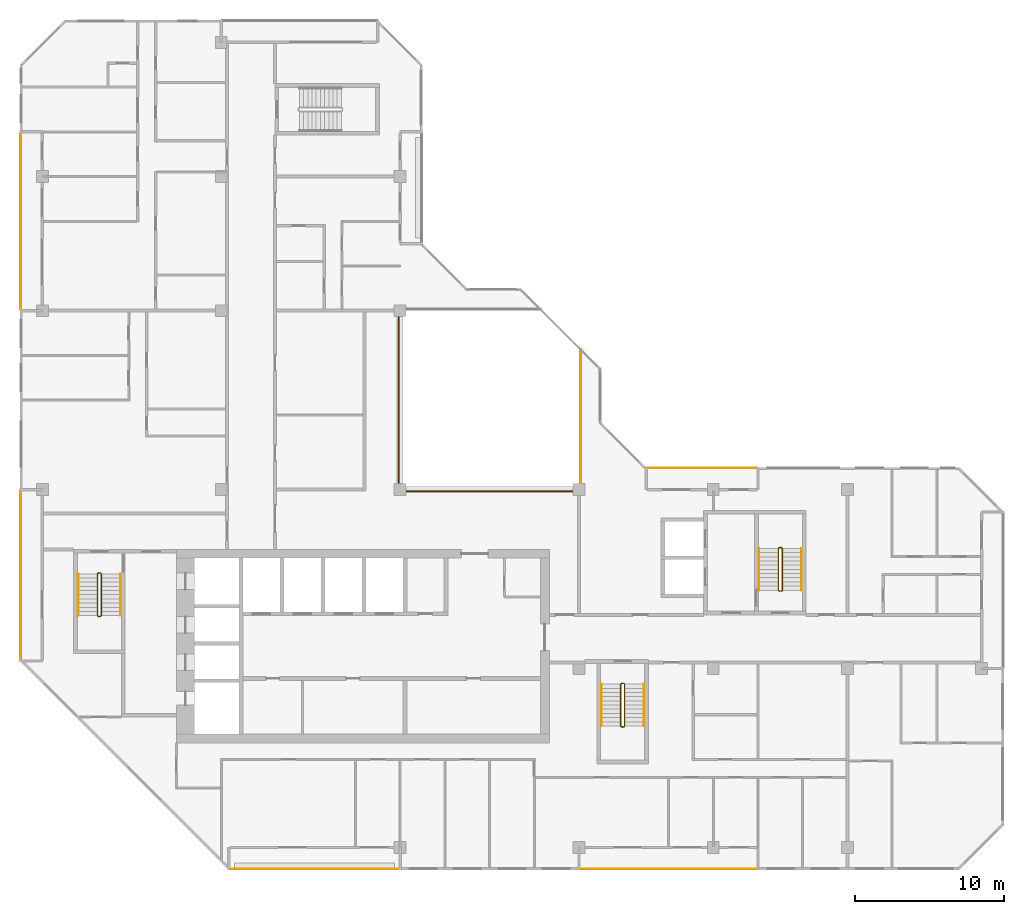
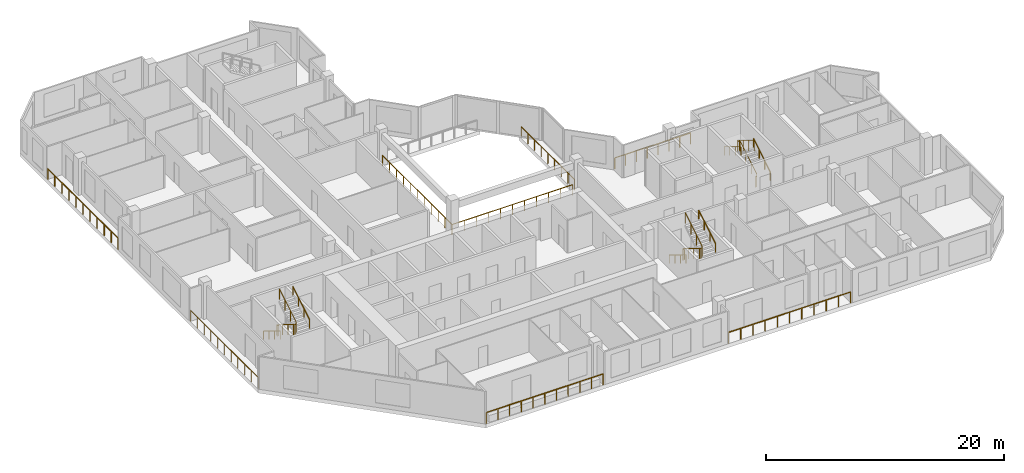
# One storey, part 12 of 13: 16 railings.
"""IFC4 building model written with IfcOpenShell, lengths in metres."""

from ifc_helpers import new_model, si_unit, direction, frame, origin, origin_2d, place, context, subcontext, project, spatial, rectangle, extrude, material, type_object, element, save


model = new_model("IFC4")

# Units and contexts
model_context = context("Model", 3, precision=1e-05, world=origin(), true_north=direction((0.0, 1.0)))
body_context = subcontext(model_context, "Body", "Model", "MODEL_VIEW")
ifc_project = project(units=[si_unit("LENGTHUNIT", "METRE"), si_unit("AREAUNIT", "SQUARE_METRE"), si_unit("VOLUMEUNIT", "CUBIC_METRE"), si_unit("PLANEANGLEUNIT", "RADIAN"), si_unit("MASSUNIT", "GRAM", prefix="KILO")], contexts=[model_context])

# Site, building, storey
site_placement = place(None, origin())
site = spatial("IfcSite", under=ifc_project, at=site_placement, CompositionType="ELEMENT")
building_placement = place(site_placement, origin())
building = spatial("IfcBuilding", under=site, at=building_placement, Name="Chenar Terraces", CompositionType="ELEMENT")
storey_placement = place(building_placement, frame((0.0, 0.0, 284.64990234375)))
storey = spatial("IfcBuildingStorey", under=building, at=storey_placement, Name="L66", CompositionType="ELEMENT", Elevation=284.64990234375)

# Railings
ifc_material_1 = material(Name="Powder-coated steel", Category="steel")
railing_type_1 = type_object("IfcRailingType", Name="Guard 1100 steel rail with glass infill", PredefinedType="GUARDRAIL", material=ifc_material_1)
railing_1_placement = place(storey_placement, frame((23.89990234375, 35.60009765625, 0.0)))
element("IfcRailing", 1, at=railing_1_placement, inside=storey, type_object=railing_type_1, Name="Guard L66-1", PredefinedType="GUARDRAIL", context=body_context, shape_type="SweptSolid", body=[
    extrude(rectangle(XDim=0.06005859375, YDim=0.06005859375, at=origin_2d()), frame((0.0, 0.0, 1.070068359375), z_axis=(0.0, -1.0, 0.0), x_axis=(1.0, 0.0, 0.0)), (0.0, 0.0, 1.0), 11.7001953125),
    extrude(rectangle(XDim=0.06005859375, YDim=0.06005859375, at=origin_2d()), frame((0.0, -11.7001953125, 1.070068359375), z_axis=(1.0, 0.0, 0.0), x_axis=(0.0, 1.0, 0.0)), (0.0, 0.0, 1.0), 11.7001953125),
    extrude(rectangle(XDim=0.050048828125, YDim=0.050048828125, at=origin_2d()), origin(), (0.0, 0.0, 1.0), 1.0400390625),
    extrude(rectangle(XDim=0.050048828125, YDim=0.050048828125, at=origin_2d()), frame((0.0, -1.169921875, 0.0)), (0.0, 0.0, 1.0), 1.0400390625),
    extrude(rectangle(XDim=0.050048828125, YDim=0.050048828125, at=origin_2d()), frame((0.0, -2.340087890625, 0.0)), (0.0, 0.0, 1.0), 1.0400390625),
    extrude(rectangle(XDim=0.050048828125, YDim=0.050048828125, at=origin_2d()), frame((0.0, -3.510009765625, 0.0)), (0.0, 0.0, 1.0), 1.0400390625),
    extrude(rectangle(XDim=0.050048828125, YDim=0.050048828125, at=origin_2d()), frame((0.0, -4.68017578125, 0.0)), (0.0, 0.0, 1.0), 1.0400390625),
    extrude(rectangle(XDim=0.050048828125, YDim=0.050048828125, at=origin_2d()), frame((0.0, -5.85009765625, 0.0)), (0.0, 0.0, 1.0), 1.0400390625),
    extrude(rectangle(XDim=0.050048828125, YDim=0.050048828125, at=origin_2d()), frame((0.0, -7.02001953125, 0.0)), (0.0, 0.0, 1.0), 1.0400390625),
    extrude(rectangle(XDim=0.050048828125, YDim=0.050048828125, at=origin_2d()), frame((0.0, -8.190185546875, 0.0)), (0.0, 0.0, 1.0), 1.0400390625),
    extrude(rectangle(XDim=0.050048828125, YDim=0.050048828125, at=origin_2d()), frame((0.0, -9.360107421875, 0.0)), (0.0, 0.0, 1.0), 1.0400390625),
    extrude(rectangle(XDim=0.050048828125, YDim=0.050048828125, at=origin_2d()), frame((0.0, -10.5302734375, 0.0)), (0.0, 0.0, 1.0), 1.0400390625),
    extrude(rectangle(XDim=0.050048828125, YDim=0.050048828125, at=origin_2d()), frame((0.0, -11.7001953125, 0.0)), (0.0, 0.0, 1.0), 1.0400390625),
    extrude(rectangle(XDim=0.050048828125, YDim=0.050048828125, at=origin_2d()), frame((1.169921875, -11.7001953125, 0.0)), (0.0, 0.0, 1.0), 1.0400390625),
    extrude(rectangle(XDim=0.050048828125, YDim=0.050048828125, at=origin_2d()), frame((2.340087890625, -11.7001953125, 0.0)), (0.0, 0.0, 1.0), 1.0400390625),
    extrude(rectangle(XDim=0.050048828125, YDim=0.050048828125, at=origin_2d()), frame((3.510009765625, -11.7001953125, 0.0)), (0.0, 0.0, 1.0), 1.0400390625),
    extrude(rectangle(XDim=0.050048828125, YDim=0.050048828125, at=origin_2d()), frame((4.68017578125, -11.7001953125, 0.0)), (0.0, 0.0, 1.0), 1.0400390625),
    extrude(rectangle(XDim=0.050048828125, YDim=0.050048828125, at=origin_2d()), frame((5.85009765625, -11.7001953125, 0.0)), (0.0, 0.0, 1.0), 1.0400390625),
    extrude(rectangle(XDim=0.050048828125, YDim=0.050048828125, at=origin_2d()), frame((7.02001953125, -11.7001953125, 0.0)), (0.0, 0.0, 1.0), 1.0400390625),
    extrude(rectangle(XDim=0.050048828125, YDim=0.050048828125, at=origin_2d()), frame((8.190185546875, -11.7001953125, 0.0)), (0.0, 0.0, 1.0), 1.0400390625),
    extrude(rectangle(XDim=0.050048828125, YDim=0.050048828125, at=origin_2d()), frame((9.360107421875, -11.7001953125, 0.0)), (0.0, 0.0, 1.0), 1.0400390625),
    extrude(rectangle(XDim=0.050048828125, YDim=0.050048828125, at=origin_2d()), frame((10.5302734375, -11.7001953125, 0.0)), (0.0, 0.0, 1.0), 1.0400390625),
    extrude(rectangle(XDim=0.050048828125, YDim=0.050048828125, at=origin_2d()), frame((11.7001953125, -11.7001953125, 0.0)), (0.0, 0.0, 1.0), 1.0400390625),
])
railing_2_placement = place(storey_placement, frame((36.10009765625, 24.449951171875, 0.0)))
element("IfcRailing", 2, at=railing_2_placement, inside=storey, type_object=railing_type_1, Name="Guard L66-3", PredefinedType="GUARDRAIL", context=body_context, shape_type="SweptSolid", body=[
    extrude(rectangle(XDim=0.06005859375, YDim=0.06005859375, at=origin_2d()), frame((0.0, 0.0, 1.070068359375), z_axis=(0.0, 1.0, 0.0), x_axis=(-1.0, 0.0, 0.0)), (0.0, 0.0, 1.0), 8.949951171875),
    extrude(rectangle(XDim=0.050048828125, YDim=0.050048828125, at=origin_2d()), origin(), (0.0, 0.0, 1.0), 1.0400390625),
    extrude(rectangle(XDim=0.050048828125, YDim=0.050048828125, at=origin_2d()), frame((0.0, 1.11865234375, 0.0)), (0.0, 0.0, 1.0), 1.0400390625),
    extrude(rectangle(XDim=0.050048828125, YDim=0.050048828125, at=origin_2d()), frame((0.0, 2.237548828125, 0.0)), (0.0, 0.0, 1.0), 1.0400390625),
    extrude(rectangle(XDim=0.050048828125, YDim=0.050048828125, at=origin_2d()), frame((0.0, 3.356201171875, 0.0)), (0.0, 0.0, 1.0), 1.0400390625),
    extrude(rectangle(XDim=0.050048828125, YDim=0.050048828125, at=origin_2d()), frame((0.0, 4.47509765625, 0.0)), (0.0, 0.0, 1.0), 1.0400390625),
    extrude(rectangle(XDim=0.050048828125, YDim=0.050048828125, at=origin_2d()), frame((0.0, 5.59375, 0.0)), (0.0, 0.0, 1.0), 1.0400390625),
    extrude(rectangle(XDim=0.050048828125, YDim=0.050048828125, at=origin_2d()), frame((0.0, 6.71240234375, 0.0)), (0.0, 0.0, 1.0), 1.0400390625),
    extrude(rectangle(XDim=0.050048828125, YDim=0.050048828125, at=origin_2d()), frame((0.0, 7.831298828125, 0.0)), (0.0, 0.0, 1.0), 1.0400390625),
    extrude(rectangle(XDim=0.050048828125, YDim=0.050048828125, at=origin_2d()), frame((0.0, 8.949951171875, 0.0)), (0.0, 0.0, 1.0), 1.0400390625),
])
ifc_material_2 = material(Name="Stainless steel and glass", Category="steel")
railing_type_2 = type_object("IfcRailingType", Name="Loggia guard 1150", PredefinedType="GUARDRAIL", material=ifc_material_2)
railing_3_placement = place(storey_placement, frame((47.925048828125, 25.449951171875, 0.0)))
element("IfcRailing", 3, at=railing_3_placement, inside=storey, type_object=railing_type_2, Name="Loggia guard", PredefinedType="GUARDRAIL", context=body_context, shape_type="SweptSolid", body=[
    extrude(rectangle(XDim=0.048095703125, YDim=0.048095703125, at=origin_2d()), frame((0.0, 0.0, 1.1259765625), z_axis=(-1.0, 0.0, 0.0), x_axis=(0.0, -1.0, 0.0)), (0.0, 0.0, 1.0), 7.35009765625),
    extrude(rectangle(XDim=0.0419921875, YDim=0.0419921875, at=origin_2d()), origin(), (0.0, 0.0, 1.0), 1.101806640625),
    extrude(rectangle(XDim=0.0419921875, YDim=0.0419921875, at=origin_2d()), frame((-1.050048828125, 0.0, 0.0)), (0.0, 0.0, 1.0), 1.101806640625),
    extrude(rectangle(XDim=0.0419921875, YDim=0.0419921875, at=origin_2d()), frame((-2.10009765625, 0.0, 0.0)), (0.0, 0.0, 1.0), 1.101806640625),
    extrude(rectangle(XDim=0.0419921875, YDim=0.0419921875, at=origin_2d()), frame((-3.150146484375, 0.0, 0.0)), (0.0, 0.0, 1.0), 1.101806640625),
    extrude(rectangle(XDim=0.0419921875, YDim=0.0419921875, at=origin_2d()), frame((-4.199951171875, 0.0, 0.0)), (0.0, 0.0, 1.0), 1.101806640625),
    extrude(rectangle(XDim=0.0419921875, YDim=0.0419921875, at=origin_2d()), frame((-5.25, 0.0, 0.0)), (0.0, 0.0, 1.0), 1.101806640625),
    extrude(rectangle(XDim=0.0419921875, YDim=0.0419921875, at=origin_2d()), frame((-6.300048828125, 0.0, 0.0)), (0.0, 0.0, 1.0), 1.101806640625),
    extrude(rectangle(XDim=0.0419921875, YDim=0.0419921875, at=origin_2d()), frame((-7.35009765625, 0.0, 0.0)), (0.0, 0.0, 1.0), 1.101806640625),
])
railing_4_placement = place(storey_placement, frame((12.574951171875, -1.449951171875, 0.0)))
element("IfcRailing", 4, at=railing_4_placement, inside=storey, type_object=railing_type_2, Name="Loggia guard", PredefinedType="GUARDRAIL", context=body_context, shape_type="SweptSolid", body=[
    extrude(rectangle(XDim=0.048095703125, YDim=0.048095703125, at=origin_2d()), frame((0.0, 0.0, 1.1259765625), z_axis=(1.0, 0.0, 0.0), x_axis=(0.0, 1.0, 0.0)), (0.0, 0.0, 1.0), 11.35009765625),
    extrude(rectangle(XDim=0.0419921875, YDim=0.0419921875, at=origin_2d()), origin(), (0.0, 0.0, 1.0), 1.101806640625),
    extrude(rectangle(XDim=0.0419921875, YDim=0.0419921875, at=origin_2d()), frame((1.135009765625, 0.0, 0.0)), (0.0, 0.0, 1.0), 1.101806640625),
    extrude(rectangle(XDim=0.0419921875, YDim=0.0419921875, at=origin_2d()), frame((2.27001953125, 0.0, 0.0)), (0.0, 0.0, 1.0), 1.101806640625),
    extrude(rectangle(XDim=0.0419921875, YDim=0.0419921875, at=origin_2d()), frame((3.405029296875, 0.0, 0.0)), (0.0, 0.0, 1.0), 1.101806640625),
    extrude(rectangle(XDim=0.0419921875, YDim=0.0419921875, at=origin_2d()), frame((4.5400390625, 0.0, 0.0)), (0.0, 0.0, 1.0), 1.101806640625),
    extrude(rectangle(XDim=0.0419921875, YDim=0.0419921875, at=origin_2d()), frame((5.675048828125, 0.0, 0.0)), (0.0, 0.0, 1.0), 1.101806640625),
    extrude(rectangle(XDim=0.0419921875, YDim=0.0419921875, at=origin_2d()), frame((6.81005859375, 0.0, 0.0)), (0.0, 0.0, 1.0), 1.101806640625),
    extrude(rectangle(XDim=0.0419921875, YDim=0.0419921875, at=origin_2d()), frame((7.945068359375, 0.0, 0.0)), (0.0, 0.0, 1.0), 1.101806640625),
    extrude(rectangle(XDim=0.0419921875, YDim=0.0419921875, at=origin_2d()), frame((9.080078125, 0.0, 0.0)), (0.0, 0.0, 1.0), 1.101806640625),
    extrude(rectangle(XDim=0.0419921875, YDim=0.0419921875, at=origin_2d()), frame((10.215087890625, 0.0, 0.0)), (0.0, 0.0, 1.0), 1.101806640625),
    extrude(rectangle(XDim=0.0419921875, YDim=0.0419921875, at=origin_2d()), frame((11.35009765625, 0.0, 0.0)), (0.0, 0.0, 1.0), 1.101806640625),
])
railing_5_placement = place(storey_placement, frame((36.074951171875, -1.449951171875, 0.0)))
element("IfcRailing", 5, at=railing_5_placement, inside=storey, type_object=railing_type_2, Name="Loggia guard", PredefinedType="GUARDRAIL", context=body_context, shape_type="SweptSolid", body=[
    extrude(rectangle(XDim=0.048095703125, YDim=0.048095703125, at=origin_2d()), frame((0.0, 0.0, 1.1259765625), z_axis=(1.0, 0.0, 0.0), x_axis=(0.0, 1.0, 0.0)), (0.0, 0.0, 1.0), 11.85009765625),
    extrude(rectangle(XDim=0.0419921875, YDim=0.0419921875, at=origin_2d()), origin(), (0.0, 0.0, 1.0), 1.101806640625),
    extrude(rectangle(XDim=0.0419921875, YDim=0.0419921875, at=origin_2d()), frame((1.18505859375, 0.0, 0.0)), (0.0, 0.0, 1.0), 1.101806640625),
    extrude(rectangle(XDim=0.0419921875, YDim=0.0419921875, at=origin_2d()), frame((2.3701171875, 0.0, 0.0)), (0.0, 0.0, 1.0), 1.101806640625),
    extrude(rectangle(XDim=0.0419921875, YDim=0.0419921875, at=origin_2d()), frame((3.554931640625, 0.0, 0.0)), (0.0, 0.0, 1.0), 1.101806640625),
    extrude(rectangle(XDim=0.0419921875, YDim=0.0419921875, at=origin_2d()), frame((4.739990234375, 0.0, 0.0)), (0.0, 0.0, 1.0), 1.101806640625),
    extrude(rectangle(XDim=0.0419921875, YDim=0.0419921875, at=origin_2d()), frame((5.925048828125, 0.0, 0.0)), (0.0, 0.0, 1.0), 1.101806640625),
    extrude(rectangle(XDim=0.0419921875, YDim=0.0419921875, at=origin_2d()), frame((7.110107421875, 0.0, 0.0)), (0.0, 0.0, 1.0), 1.101806640625),
    extrude(rectangle(XDim=0.0419921875, YDim=0.0419921875, at=origin_2d()), frame((8.295166015625, 0.0, 0.0)), (0.0, 0.0, 1.0), 1.101806640625),
    extrude(rectangle(XDim=0.0419921875, YDim=0.0419921875, at=origin_2d()), frame((9.47998046875, 0.0, 0.0)), (0.0, 0.0, 1.0), 1.101806640625),
    extrude(rectangle(XDim=0.0419921875, YDim=0.0419921875, at=origin_2d()), frame((10.6650390625, 0.0, 0.0)), (0.0, 0.0, 1.0), 1.101806640625),
    extrude(rectangle(XDim=0.0419921875, YDim=0.0419921875, at=origin_2d()), frame((11.85009765625, 0.0, 0.0)), (0.0, 0.0, 1.0), 1.101806640625),
])
railing_6_placement = place(storey_placement, frame((-1.449951171875, 47.925048828125, 0.0)))
element("IfcRailing", 6, at=railing_6_placement, inside=storey, type_object=railing_type_2, Name="Loggia guard", PredefinedType="GUARDRAIL", context=body_context, shape_type="SweptSolid", body=[
    extrude(rectangle(XDim=0.048095703125, YDim=0.048095703125, at=origin_2d()), frame((0.0, 0.0, 1.1259765625), z_axis=(0.0, -1.0, 0.0), x_axis=(1.0, 0.0, 0.0)), (0.0, 0.0, 1.0), 11.85009765625),
    extrude(rectangle(XDim=0.0419921875, YDim=0.0419921875, at=origin_2d()), origin(), (0.0, 0.0, 1.0), 1.101806640625),
    extrude(rectangle(XDim=0.0419921875, YDim=0.0419921875, at=origin_2d()), frame((0.0, -1.18505859375, 0.0)), (0.0, 0.0, 1.0), 1.101806640625),
    extrude(rectangle(XDim=0.0419921875, YDim=0.0419921875, at=origin_2d()), frame((0.0, -2.3701171875, 0.0)), (0.0, 0.0, 1.0), 1.101806640625),
    extrude(rectangle(XDim=0.0419921875, YDim=0.0419921875, at=origin_2d()), frame((0.0, -3.554931640625, 0.0)), (0.0, 0.0, 1.0), 1.101806640625),
    extrude(rectangle(XDim=0.0419921875, YDim=0.0419921875, at=origin_2d()), frame((0.0, -4.739990234375, 0.0)), (0.0, 0.0, 1.0), 1.101806640625),
    extrude(rectangle(XDim=0.0419921875, YDim=0.0419921875, at=origin_2d()), frame((0.0, -5.925048828125, 0.0)), (0.0, 0.0, 1.0), 1.101806640625),
    extrude(rectangle(XDim=0.0419921875, YDim=0.0419921875, at=origin_2d()), frame((0.0, -7.110107421875, 0.0)), (0.0, 0.0, 1.0), 1.101806640625),
    extrude(rectangle(XDim=0.0419921875, YDim=0.0419921875, at=origin_2d()), frame((0.0, -8.295166015625, 0.0)), (0.0, 0.0, 1.0), 1.101806640625),
    extrude(rectangle(XDim=0.0419921875, YDim=0.0419921875, at=origin_2d()), frame((0.0, -9.47998046875, 0.0)), (0.0, 0.0, 1.0), 1.101806640625),
    extrude(rectangle(XDim=0.0419921875, YDim=0.0419921875, at=origin_2d()), frame((0.0, -10.6650390625, 0.0)), (0.0, 0.0, 1.0), 1.101806640625),
    extrude(rectangle(XDim=0.0419921875, YDim=0.0419921875, at=origin_2d()), frame((0.0, -11.85009765625, 0.0)), (0.0, 0.0, 1.0), 1.101806640625),
])
railing_7_placement = place(storey_placement, frame((-1.449951171875, 23.925048828125, 0.0)))
element("IfcRailing", 7, at=railing_7_placement, inside=storey, type_object=railing_type_2, Name="Loggia guard", PredefinedType="GUARDRAIL", context=body_context, shape_type="SweptSolid", body=[
    extrude(rectangle(XDim=0.048095703125, YDim=0.048095703125, at=origin_2d()), frame((0.0, 0.0, 1.1259765625), z_axis=(0.0, -1.0, 0.0), x_axis=(1.0, 0.0, 0.0)), (0.0, 0.0, 1.0), 11.35009765625),
    extrude(rectangle(XDim=0.0419921875, YDim=0.0419921875, at=origin_2d()), origin(), (0.0, 0.0, 1.0), 1.101806640625),
    extrude(rectangle(XDim=0.0419921875, YDim=0.0419921875, at=origin_2d()), frame((0.0, -1.135009765625, 0.0)), (0.0, 0.0, 1.0), 1.101806640625),
    extrude(rectangle(XDim=0.0419921875, YDim=0.0419921875, at=origin_2d()), frame((0.0, -2.27001953125, 0.0)), (0.0, 0.0, 1.0), 1.101806640625),
    extrude(rectangle(XDim=0.0419921875, YDim=0.0419921875, at=origin_2d()), frame((0.0, -3.405029296875, 0.0)), (0.0, 0.0, 1.0), 1.101806640625),
    extrude(rectangle(XDim=0.0419921875, YDim=0.0419921875, at=origin_2d()), frame((0.0, -4.5400390625, 0.0)), (0.0, 0.0, 1.0), 1.101806640625),
    extrude(rectangle(XDim=0.0419921875, YDim=0.0419921875, at=origin_2d()), frame((0.0, -5.675048828125, 0.0)), (0.0, 0.0, 1.0), 1.101806640625),
    extrude(rectangle(XDim=0.0419921875, YDim=0.0419921875, at=origin_2d()), frame((0.0, -6.81005859375, 0.0)), (0.0, 0.0, 1.0), 1.101806640625),
    extrude(rectangle(XDim=0.0419921875, YDim=0.0419921875, at=origin_2d()), frame((0.0, -7.945068359375, 0.0)), (0.0, 0.0, 1.0), 1.101806640625),
    extrude(rectangle(XDim=0.0419921875, YDim=0.0419921875, at=origin_2d()), frame((0.0, -9.080078125, 0.0)), (0.0, 0.0, 1.0), 1.101806640625),
    extrude(rectangle(XDim=0.0419921875, YDim=0.0419921875, at=origin_2d()), frame((0.0, -10.215087890625, 0.0)), (0.0, 0.0, 1.0), 1.101806640625),
    extrude(rectangle(XDim=0.0419921875, YDim=0.0419921875, at=origin_2d()), frame((0.0, -11.35009765625, 0.0)), (0.0, 0.0, 1.0), 1.101806640625),
])
ifc_material_3 = material(Name="Powder-coated steel", Category="steel")
railing_type_3 = type_object("IfcRailingType", Name="Stair guard 1100", PredefinedType="GUARDRAIL", material=ifc_material_3)
railing_8_placement = place(storey_placement, frame((3.949951171875, 18.35009765625, 3.75)))
element("IfcRailing", 8, at=railing_8_placement, inside=storey, type_object=railing_type_3, Name="L66 ST1 stair guard 1", PredefinedType="GUARDRAIL", context=body_context, shape_type="SweptSolid", body=[
    extrude(rectangle(XDim=0.048095703125, YDim=0.048095703125, at=origin_2d()), frame((0.0, 0.0, 1.076171875), z_axis=(0.0, -0.854202870247, -0.519939858505), x_axis=(1.0, 0.0, 0.0)), (0.0, 0.0, 1.0), 3.278076171875),
    extrude(rectangle(XDim=0.048095703125, YDim=0.048095703125, at=origin_2d()), frame((0.0, -2.800048828125, -0.62841796875), z_axis=(-0.270899902878, -0.270899902878, -0.923702595667), x_axis=(0.707106781187, -0.707106781187, 0.0)), (0.0, 0.0, 1.0), 0.184814453125),
    extrude(rectangle(XDim=0.048095703125, YDim=0.048095703125, at=origin_2d()), frame((-0.050048828125, -2.85009765625, -0.798828125), z_axis=(-1.0, 0.0, 0.0), x_axis=(0.0, -1.0, 0.0)), (0.0, 0.0, 1.0), 0.14990234375),
    extrude(rectangle(XDim=0.048095703125, YDim=0.048095703125, at=origin_2d()), frame((-0.199951171875, -2.85009765625, -0.798828125), z_axis=(-0.707106781187, 0.707106781187, 0.0), x_axis=(-0.707106781187, -0.707106781187, 0.0)), (0.0, 0.0, 1.0), 0.07080078125),
    extrude(rectangle(XDim=0.048095703125, YDim=0.048095703125, at=origin_2d()), frame((-0.25, -2.800048828125, -0.798828125), z_axis=(0.0, 0.854202870247, -0.519939858505), x_axis=(-1.0, 0.0, 0.0)), (0.0, 0.0, 1.0), 3.278076171875),
    extrude(rectangle(XDim=0.048095703125, YDim=0.048095703125, at=origin_2d()), frame((-0.25, 0.0, -2.50341796875), z_axis=(0.270996696079, 0.269674760976, -0.924032636873), x_axis=(-0.705375805398, 0.708833529934, 0.0)), (0.0, 0.0, 1.0), 0.1845703125),
    extrude(rectangle(XDim=0.048095703125, YDim=0.048095703125, at=origin_2d()), frame((-0.199951171875, 0.0498046875, -2.673828125), z_axis=(1.0, 0.0, 0.0), x_axis=(0.0, 1.0, 0.0)), (0.0, 0.0, 1.0), 0.14990234375),
    extrude(rectangle(XDim=0.0419921875, YDim=0.0419921875, at=origin_2d()), origin(), (0.0, 0.0, 1.0), 1.052001953125),
    extrude(rectangle(XDim=0.0419921875, YDim=0.0419921875, at=origin_2d()), frame((0.0, -0.933349609375, -0.568115234375)), (0.0, 0.0, 1.0), 1.052001953125),
    extrude(rectangle(XDim=0.0419921875, YDim=0.0419921875, at=origin_2d()), frame((0.0, -1.86669921875, -1.13623046875)), (0.0, 0.0, 1.0), 1.052001953125),
    extrude(rectangle(XDim=0.0419921875, YDim=0.0419921875, at=origin_2d()), frame((0.0, -2.800048828125, -1.704345703125)), (0.0, 0.0, 1.0), 1.052001953125),
    extrude(rectangle(XDim=0.0419921875, YDim=0.0419921875, at=origin_2d()), frame((-0.050048828125, -2.85009765625, -1.875)), (0.0, 0.0, 1.0), 1.052001953125),
    extrude(rectangle(XDim=0.0419921875, YDim=0.0419921875, at=origin_2d()), frame((-0.199951171875, -2.85009765625, -1.875)), (0.0, 0.0, 1.0), 1.052001953125),
    extrude(rectangle(XDim=0.0419921875, YDim=0.0419921875, at=origin_2d()), frame((-0.25, -2.800048828125, -1.875)), (0.0, 0.0, 1.0), 1.052001953125),
    extrude(rectangle(XDim=0.0419921875, YDim=0.0419921875, at=origin_2d()), frame((-0.25, -1.86669921875, -2.443115234375)), (0.0, 0.0, 1.0), 1.052001953125),
    extrude(rectangle(XDim=0.0419921875, YDim=0.0419921875, at=origin_2d()), frame((-0.25, -0.933349609375, -3.01123046875)), (0.0, 0.0, 1.0), 1.052001953125),
    extrude(rectangle(XDim=0.0419921875, YDim=0.0419921875, at=origin_2d()), frame((-0.25, 0.0, -3.579345703125)), (0.0, 0.0, 1.0), 1.052001953125),
    extrude(rectangle(XDim=0.0419921875, YDim=0.0419921875, at=origin_2d()), frame((-0.199951171875, 0.0498046875, -3.75)), (0.0, 0.0, 1.0), 1.052001953125),
    extrude(rectangle(XDim=0.0419921875, YDim=0.0419921875, at=origin_2d()), frame((-0.050048828125, 0.0498046875, -3.75)), (0.0, 0.0, 1.0), 1.052001953125),
])
railing_9_placement = place(storey_placement, frame((39.050048828125, 10.949951171875, 3.75)))
element("IfcRailing", 9, at=railing_9_placement, inside=storey, type_object=railing_type_3, Name="L66 ST2 stair guard 1", PredefinedType="GUARDRAIL", context=body_context, shape_type="SweptSolid", body=[
    extrude(rectangle(XDim=0.048095703125, YDim=0.048095703125, at=origin_2d()), frame((0.0, 0.0, 1.076171875), z_axis=(0.0, -0.854202870247, -0.519939858505), x_axis=(1.0, 0.0, 0.0)), (0.0, 0.0, 1.0), 3.278076171875),
    extrude(rectangle(XDim=0.048095703125, YDim=0.048095703125, at=origin_2d()), frame((0.0, -2.800048828125, -0.62841796875), z_axis=(-0.270996696079, -0.269674760976, -0.924032636873), x_axis=(0.705375805398, -0.708833529934, 0.0)), (0.0, 0.0, 1.0), 0.1845703125),
    extrude(rectangle(XDim=0.048095703125, YDim=0.048095703125, at=origin_2d()), frame((-0.050048828125, -2.849853515625, -0.798828125), z_axis=(-1.0, 0.0, 0.0), x_axis=(0.0, -1.0, 0.0)), (0.0, 0.0, 1.0), 0.14990234375),
    extrude(rectangle(XDim=0.048095703125, YDim=0.048095703125, at=origin_2d()), frame((-0.199951171875, -2.849853515625, -0.798828125), z_axis=(-0.708833529934, 0.705375805398, 0.0), x_axis=(-0.705375805398, -0.708833529934, 0.0)), (0.0, 0.0, 1.0), 0.070556640625),
    extrude(rectangle(XDim=0.048095703125, YDim=0.048095703125, at=origin_2d()), frame((-0.25, -2.800048828125, -0.798828125), z_axis=(0.0, 0.854202870247, -0.519939858505), x_axis=(-1.0, 0.0, 0.0)), (0.0, 0.0, 1.0), 3.278076171875),
    extrude(rectangle(XDim=0.048095703125, YDim=0.048095703125, at=origin_2d()), frame((-0.25, 0.0, -2.50341796875), z_axis=(0.270899902878, 0.270899902878, -0.923702595667), x_axis=(-0.707106781187, 0.707106781187, 0.0)), (0.0, 0.0, 1.0), 0.184814453125),
    extrude(rectangle(XDim=0.048095703125, YDim=0.048095703125, at=origin_2d()), frame((-0.199951171875, 0.050048828125, -2.673828125), z_axis=(1.0, 0.0, 0.0), x_axis=(0.0, 1.0, 0.0)), (0.0, 0.0, 1.0), 0.14990234375),
    extrude(rectangle(XDim=0.0419921875, YDim=0.0419921875, at=origin_2d()), origin(), (0.0, 0.0, 1.0), 1.052001953125),
    extrude(rectangle(XDim=0.0419921875, YDim=0.0419921875, at=origin_2d()), frame((0.0, -0.933349609375, -0.568115234375)), (0.0, 0.0, 1.0), 1.052001953125),
    extrude(rectangle(XDim=0.0419921875, YDim=0.0419921875, at=origin_2d()), frame((0.0, -1.86669921875, -1.13623046875)), (0.0, 0.0, 1.0), 1.052001953125),
    extrude(rectangle(XDim=0.0419921875, YDim=0.0419921875, at=origin_2d()), frame((0.0, -2.800048828125, -1.704345703125)), (0.0, 0.0, 1.0), 1.052001953125),
    extrude(rectangle(XDim=0.0419921875, YDim=0.0419921875, at=origin_2d()), frame((-0.050048828125, -2.849853515625, -1.875)), (0.0, 0.0, 1.0), 1.052001953125),
    extrude(rectangle(XDim=0.0419921875, YDim=0.0419921875, at=origin_2d()), frame((-0.199951171875, -2.849853515625, -1.875)), (0.0, 0.0, 1.0), 1.052001953125),
    extrude(rectangle(XDim=0.0419921875, YDim=0.0419921875, at=origin_2d()), frame((-0.25, -2.800048828125, -1.875)), (0.0, 0.0, 1.0), 1.052001953125),
    extrude(rectangle(XDim=0.0419921875, YDim=0.0419921875, at=origin_2d()), frame((-0.25, -1.86669921875, -2.443115234375)), (0.0, 0.0, 1.0), 1.052001953125),
    extrude(rectangle(XDim=0.0419921875, YDim=0.0419921875, at=origin_2d()), frame((-0.25, -0.933349609375, -3.01123046875)), (0.0, 0.0, 1.0), 1.052001953125),
    extrude(rectangle(XDim=0.0419921875, YDim=0.0419921875, at=origin_2d()), frame((-0.25, 0.0, -3.579345703125)), (0.0, 0.0, 1.0), 1.052001953125),
    extrude(rectangle(XDim=0.0419921875, YDim=0.0419921875, at=origin_2d()), frame((-0.199951171875, 0.050048828125, -3.75)), (0.0, 0.0, 1.0), 1.052001953125),
    extrude(rectangle(XDim=0.0419921875, YDim=0.0419921875, at=origin_2d()), frame((-0.050048828125, 0.050048828125, -3.75)), (0.0, 0.0, 1.0), 1.052001953125),
])
railing_10_placement = place(storey_placement, frame((49.375, 17.25, 3.75)))
element("IfcRailing", 10, at=railing_10_placement, inside=storey, type_object=railing_type_3, Name="L66 ST3 stair guard 1", PredefinedType="GUARDRAIL", context=body_context, shape_type="SweptSolid", body=[
    extrude(rectangle(XDim=0.048095703125, YDim=0.048095703125, at=origin_2d()), frame((0.0, 0.0, 1.076171875), z_axis=(0.0, 0.854202870247, -0.519939858505), x_axis=(-1.0, 0.0, 0.0)), (0.0, 0.0, 1.0), 3.278076171875),
    extrude(rectangle(XDim=0.048095703125, YDim=0.048095703125, at=origin_2d()), frame((0.0, 2.800048828125, -0.62841796875), z_axis=(0.270899902878, 0.270899902878, -0.923702595667), x_axis=(-0.707106781187, 0.707106781187, 0.0)), (0.0, 0.0, 1.0), 0.184814453125),
    extrude(rectangle(XDim=0.048095703125, YDim=0.048095703125, at=origin_2d()), frame((0.050048828125, 2.85009765625, -0.798828125), z_axis=(1.0, 0.0, 0.0), x_axis=(0.0, 1.0, 0.0)), (0.0, 0.0, 1.0), 0.14990234375),
    extrude(rectangle(XDim=0.048095703125, YDim=0.048095703125, at=origin_2d()), frame((0.199951171875, 2.85009765625, -0.798828125), z_axis=(0.707106781187, -0.707106781187, 0.0), x_axis=(0.707106781187, 0.707106781187, 0.0)), (0.0, 0.0, 1.0), 0.07080078125),
    extrude(rectangle(XDim=0.048095703125, YDim=0.048095703125, at=origin_2d()), frame((0.25, 2.800048828125, -0.798828125), z_axis=(0.0, -0.854202870247, -0.519939858505), x_axis=(1.0, 0.0, 0.0)), (0.0, 0.0, 1.0), 3.278076171875),
    extrude(rectangle(XDim=0.048095703125, YDim=0.048095703125, at=origin_2d()), frame((0.25, 0.0, -2.50341796875), z_axis=(-0.270899902878, -0.270899902878, -0.923702595667), x_axis=(0.707106781187, -0.707106781187, 0.0)), (0.0, 0.0, 1.0), 0.184814453125),
    extrude(rectangle(XDim=0.048095703125, YDim=0.048095703125, at=origin_2d()), frame((0.199951171875, -0.050048828125, -2.673828125), z_axis=(-1.0, 0.0, 0.0), x_axis=(0.0, -1.0, 0.0)), (0.0, 0.0, 1.0), 0.14990234375),
    extrude(rectangle(XDim=0.0419921875, YDim=0.0419921875, at=origin_2d()), origin(), (0.0, 0.0, 1.0), 1.052001953125),
    extrude(rectangle(XDim=0.0419921875, YDim=0.0419921875, at=origin_2d()), frame((0.0, 0.933349609375, -0.568115234375)), (0.0, 0.0, 1.0), 1.052001953125),
    extrude(rectangle(XDim=0.0419921875, YDim=0.0419921875, at=origin_2d()), frame((0.0, 1.86669921875, -1.13623046875)), (0.0, 0.0, 1.0), 1.052001953125),
    extrude(rectangle(XDim=0.0419921875, YDim=0.0419921875, at=origin_2d()), frame((0.0, 2.800048828125, -1.704345703125)), (0.0, 0.0, 1.0), 1.052001953125),
    extrude(rectangle(XDim=0.0419921875, YDim=0.0419921875, at=origin_2d()), frame((0.050048828125, 2.85009765625, -1.875)), (0.0, 0.0, 1.0), 1.052001953125),
    extrude(rectangle(XDim=0.0419921875, YDim=0.0419921875, at=origin_2d()), frame((0.199951171875, 2.85009765625, -1.875)), (0.0, 0.0, 1.0), 1.052001953125),
    extrude(rectangle(XDim=0.0419921875, YDim=0.0419921875, at=origin_2d()), frame((0.25, 2.800048828125, -1.875)), (0.0, 0.0, 1.0), 1.052001953125),
    extrude(rectangle(XDim=0.0419921875, YDim=0.0419921875, at=origin_2d()), frame((0.25, 1.86669921875, -2.443115234375)), (0.0, 0.0, 1.0), 1.052001953125),
    extrude(rectangle(XDim=0.0419921875, YDim=0.0419921875, at=origin_2d()), frame((0.25, 0.933349609375, -3.01123046875)), (0.0, 0.0, 1.0), 1.052001953125),
    extrude(rectangle(XDim=0.0419921875, YDim=0.0419921875, at=origin_2d()), frame((0.25, 0.0, -3.579345703125)), (0.0, 0.0, 1.0), 1.052001953125),
    extrude(rectangle(XDim=0.0419921875, YDim=0.0419921875, at=origin_2d()), frame((0.199951171875, -0.050048828125, -3.75)), (0.0, 0.0, 1.0), 1.052001953125),
    extrude(rectangle(XDim=0.0419921875, YDim=0.0419921875, at=origin_2d()), frame((0.050048828125, -0.050048828125, -3.75)), (0.0, 0.0, 1.0), 1.052001953125),
])
ifc_material_4 = material(Name="Powder-coated steel", Category="steel")
railing_type_4 = type_object("IfcRailingType", Name="Stair handrail 900", PredefinedType="HANDRAIL", material=ifc_material_4)
railing_11_placement = place(storey_placement, frame((2.39990234375, 18.35009765625, 0.170654296875)))
element("IfcRailing", 11, at=railing_11_placement, inside=storey, type_object=railing_type_4, Name="L66 ST1 stair handrail 1", PredefinedType="HANDRAIL", context=body_context, shape_type="SweptSolid", body=[
    extrude(rectangle(XDim=0.048095703125, YDim=0.048095703125, at=origin_2d()), frame((0.0, 0.0, 0.8759765625), z_axis=(0.0, -0.854202870247, 0.519939858505), x_axis=(1.0, 0.0, 0.0)), (0.0, 0.0, 1.0), 3.278076171875),
    extrude(rectangle(XDim=0.0419921875, YDim=0.0419921875, at=origin_2d()), origin(), (0.0, 0.0, 1.0), 0.851806640625),
    extrude(rectangle(XDim=0.0419921875, YDim=0.0419921875, at=origin_2d()), frame((0.0, -0.933349609375, 0.568115234375)), (0.0, 0.0, 1.0), 0.851806640625),
    extrude(rectangle(XDim=0.0419921875, YDim=0.0419921875, at=origin_2d()), frame((0.0, -1.86669921875, 1.13623046875)), (0.0, 0.0, 1.0), 0.851806640625),
    extrude(rectangle(XDim=0.0419921875, YDim=0.0419921875, at=origin_2d()), frame((0.0, -2.800048828125, 1.704345703125)), (0.0, 0.0, 1.0), 0.851806640625),
])
railing_12_placement = place(storey_placement, frame((5.25, 15.550048828125, 2.045654296875)))
element("IfcRailing", 12, at=railing_12_placement, inside=storey, type_object=railing_type_4, Name="L66 ST1 stair handrail 2", PredefinedType="HANDRAIL", context=body_context, shape_type="SweptSolid", body=[
    extrude(rectangle(XDim=0.048095703125, YDim=0.048095703125, at=origin_2d()), frame((0.0, 0.0, 0.8759765625), z_axis=(0.0, 0.854202870247, 0.519939858505), x_axis=(-1.0, 0.0, 0.0)), (0.0, 0.0, 1.0), 3.278076171875),
    extrude(rectangle(XDim=0.0419921875, YDim=0.0419921875, at=origin_2d()), origin(), (0.0, 0.0, 1.0), 0.851806640625),
    extrude(rectangle(XDim=0.0419921875, YDim=0.0419921875, at=origin_2d()), frame((0.0, 0.933349609375, 0.568115234375)), (0.0, 0.0, 1.0), 0.851806640625),
    extrude(rectangle(XDim=0.0419921875, YDim=0.0419921875, at=origin_2d()), frame((0.0, 1.86669921875, 1.13623046875)), (0.0, 0.0, 1.0), 0.851806640625),
    extrude(rectangle(XDim=0.0419921875, YDim=0.0419921875, at=origin_2d()), frame((0.0, 2.800048828125, 1.704345703125)), (0.0, 0.0, 1.0), 0.851806640625),
])
railing_13_placement = place(storey_placement, frame((37.5, 10.949951171875, 0.170654296875)))
element("IfcRailing", 13, at=railing_13_placement, inside=storey, type_object=railing_type_4, Name="L66 ST2 stair handrail 1", PredefinedType="HANDRAIL", context=body_context, shape_type="SweptSolid", body=[
    extrude(rectangle(XDim=0.048095703125, YDim=0.048095703125, at=origin_2d()), frame((0.0, 0.0, 0.8759765625), z_axis=(0.0, -0.854202870247, 0.519939858505), x_axis=(1.0, 0.0, 0.0)), (0.0, 0.0, 1.0), 3.278076171875),
    extrude(rectangle(XDim=0.0419921875, YDim=0.0419921875, at=origin_2d()), origin(), (0.0, 0.0, 1.0), 0.851806640625),
    extrude(rectangle(XDim=0.0419921875, YDim=0.0419921875, at=origin_2d()), frame((0.0, -0.933349609375, 0.568115234375)), (0.0, 0.0, 1.0), 0.851806640625),
    extrude(rectangle(XDim=0.0419921875, YDim=0.0419921875, at=origin_2d()), frame((0.0, -1.86669921875, 1.13623046875)), (0.0, 0.0, 1.0), 0.851806640625),
    extrude(rectangle(XDim=0.0419921875, YDim=0.0419921875, at=origin_2d()), frame((0.0, -2.800048828125, 1.704345703125)), (0.0, 0.0, 1.0), 0.851806640625),
])
for number, where, name in (
    (14, (40.35009765625, 8.14990234375, 2.045654296875), "L66 ST2 stair handrail 2"),
    (15, (50.925048828125, 17.25, 0.170654296875), "L66 ST3 stair handrail 1"),
):
    element("IfcRailing", number, at=place(storey_placement, frame(where)), inside=storey, type_object=railing_type_4, Name=name, PredefinedType="HANDRAIL", context=body_context, shape_type="SweptSolid", body=[
        extrude(rectangle(XDim=0.048095703125, YDim=0.048095703125, at=origin_2d()), frame((0.0, 0.0, 0.8759765625), z_axis=(0.0, 0.854202870247, 0.519939858505), x_axis=(-1.0, 0.0, 0.0)), (0.0, 0.0, 1.0), 3.278076171875),
        extrude(rectangle(XDim=0.0419921875, YDim=0.0419921875, at=origin_2d()), origin(), (0.0, 0.0, 1.0), 0.851806640625),
        extrude(rectangle(XDim=0.0419921875, YDim=0.0419921875, at=origin_2d()), frame((0.0, 0.933349609375, 0.568115234375)), (0.0, 0.0, 1.0), 0.851806640625),
        extrude(rectangle(XDim=0.0419921875, YDim=0.0419921875, at=origin_2d()), frame((0.0, 1.86669921875, 1.13623046875)), (0.0, 0.0, 1.0), 0.851806640625),
        extrude(rectangle(XDim=0.0419921875, YDim=0.0419921875, at=origin_2d()), frame((0.0, 2.800048828125, 1.704345703125)), (0.0, 0.0, 1.0), 0.851806640625),
    ])
railing_14_placement = place(storey_placement, frame((48.074951171875, 20.050048828125, 2.045654296875)))
element("IfcRailing", 16, at=railing_14_placement, inside=storey, type_object=railing_type_4, Name="L66 ST3 stair handrail 2", PredefinedType="HANDRAIL", context=body_context, shape_type="SweptSolid", body=[
    extrude(rectangle(XDim=0.048095703125, YDim=0.048095703125, at=origin_2d()), frame((0.0, 0.0, 0.8759765625), z_axis=(0.0, -0.854202870247, 0.519939858505), x_axis=(1.0, 0.0, 0.0)), (0.0, 0.0, 1.0), 3.278076171875),
    extrude(rectangle(XDim=0.0419921875, YDim=0.0419921875, at=origin_2d()), origin(), (0.0, 0.0, 1.0), 0.851806640625),
    extrude(rectangle(XDim=0.0419921875, YDim=0.0419921875, at=origin_2d()), frame((0.0, -0.933349609375, 0.568115234375)), (0.0, 0.0, 1.0), 0.851806640625),
    extrude(rectangle(XDim=0.0419921875, YDim=0.0419921875, at=origin_2d()), frame((0.0, -1.86669921875, 1.13623046875)), (0.0, 0.0, 1.0), 0.851806640625),
    extrude(rectangle(XDim=0.0419921875, YDim=0.0419921875, at=origin_2d()), frame((0.0, -2.800048828125, 1.704345703125)), (0.0, 0.0, 1.0), 0.851806640625),
])

save(model, "model.ifc")
